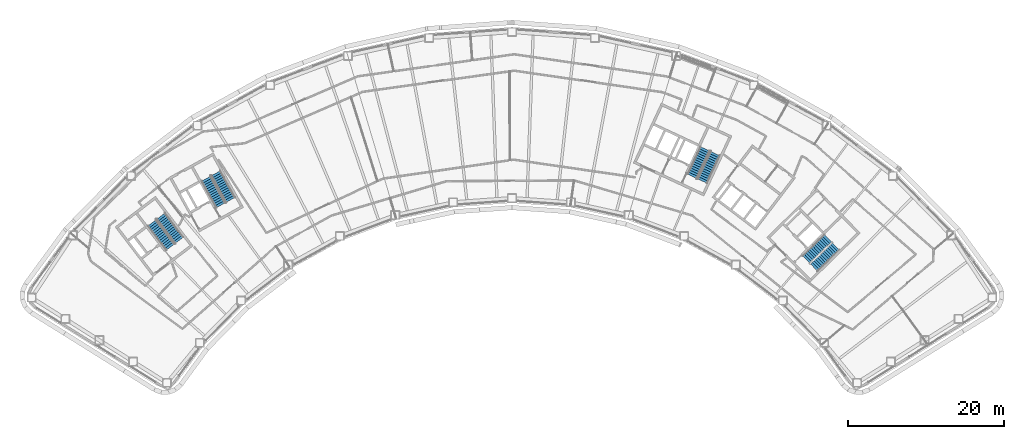
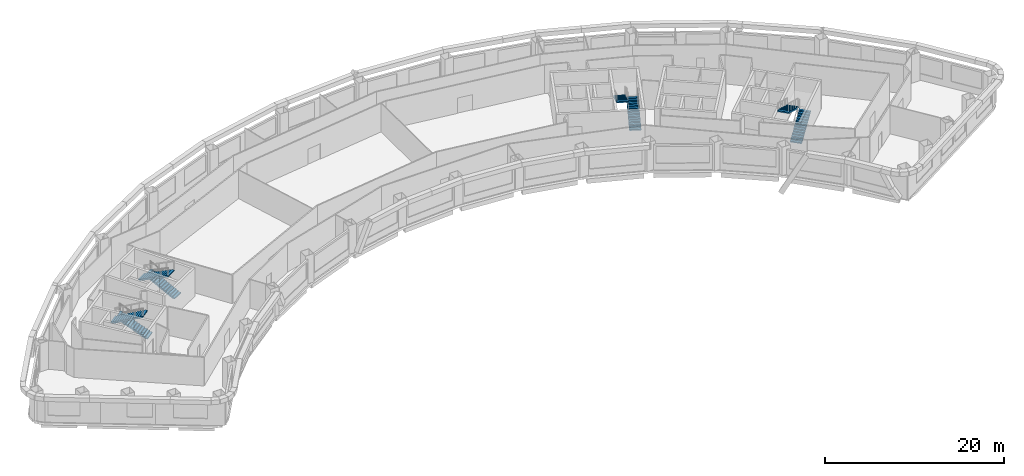
# One storey, part 10 of 12: 8 stair flights, 4 elements without a shape of their own.
"""IFC4 building model written with IfcOpenShell, lengths in metres."""

from ifc_helpers import new_model, si_unit, direction, frame, origin, place, context, subcontext, project, spatial, polyline, outline, extrude, material, type_object, element, aggregate, save


model = new_model("IFC4")

# Units and contexts
model_context = context("Model", 3, precision=1e-05, world=origin(), true_north=direction((0.0, 1.0)))
body_context = subcontext(model_context, "Body", "Model", "MODEL_VIEW")
ifc_project = project(units=[si_unit("LENGTHUNIT", "METRE"), si_unit("AREAUNIT", "SQUARE_METRE"), si_unit("VOLUMEUNIT", "CUBIC_METRE"), si_unit("PLANEANGLEUNIT", "RADIAN"), si_unit("MASSUNIT", "GRAM", prefix="KILO")], contexts=[model_context])

# Site, building, storey
site_placement = place(None, origin())
site = spatial("IfcSite", under=ifc_project, at=site_placement, CompositionType="ELEMENT")
building_placement = place(site_placement, origin())
building = spatial("IfcBuilding", under=site, at=building_placement, Name="Tuul Gate Civic Tower", CompositionType="ELEMENT")
storey_placement = place(building_placement, frame((0.0, 0.0, 103.5)))
storey = spatial("IfcBuildingStorey", under=building, at=storey_placement, Name="Level 23", CompositionType="ELEMENT", Elevation=103.5)

# Stair, stair flights
ifc_material_1 = material(Name="Concrete C40/50", Category="concrete")
stair_type = type_object("IfcStairType", Name="Exit stair", PredefinedType="HALF_TURN_STAIR", material=ifc_material_1)
stair_1_placement = place(storey_placement, origin())
stair_1 = element("IfcStair", 1, at=stair_1_placement, inside=storey, type_object=stair_type, Name="Level 23 ST-1", PredefinedType="HALF_TURN_STAIR")
ifc_material_2 = material(Name="Concrete C40/50", Category="concrete")
stair_flight_type = type_object("IfcStairFlightType", Name="Exit stair flight", PredefinedType="STRAIGHT", material=ifc_material_2)
stair_flight_1_placement = place(storey_placement, frame((-32.875244140625, -13.066650390625, 0.0), z_axis=(0.0, 0.0, 1.0), x_axis=(-0.605764474941, 0.795644016442, 0.0)))
stair_flight_1 = element("IfcStairFlight", 2, at=stair_flight_1_placement, type_object=stair_flight_type, Name="ST-1 flight 1", NumberOfRisers=14, NumberOfTreads=13, PredefinedType="STRAIGHT", RiserHeight=0.15, TreadLength=0.3, context=body_context, shape_type="SweptSolid", body=[
    extrude(outline(polyline([(0.0, 0.0), (0.0, 0.14990234375), (0.300048828125, 0.14990234375), (0.300048828125, 0.300048828125), (0.60009765625, 0.300048828125), (0.60009765625, 0.449951171875), (0.89990234375, 0.449951171875), (0.89990234375, 0.60009765625), (1.199951171875, 0.60009765625), (1.199951171875, 0.75), (1.5, 0.75), (1.5, 0.89990234375), (1.800048828125, 0.89990234375), (1.800048828125, 1.050048828125), (2.10009765625, 1.050048828125), (2.10009765625, 1.199951171875), (2.39990234375, 1.199951171875), (2.39990234375, 1.35009765625), (2.699951171875, 1.35009765625), (2.699951171875, 1.5), (3.0, 1.5), (3.0, 1.64990234375), (3.300048828125, 1.64990234375), (3.300048828125, 1.800048828125), (3.60009765625, 1.800048828125), (3.60009765625, 1.949951171875), (3.89990234375, 1.949951171875), (3.89990234375, 2.10009765625), (3.89990234375, 1.782470703125), (0.335205078125, 0.0), (0.0, 0.0)])), frame((0.0, 0.675048828125, 0.0), z_axis=(0.0, -1.0, 0.0), x_axis=(1.0, 0.0, 0.0)), (0.0, 0.0, 1.0), 1.35009765625),
])
stair_flight_2_placement = place(storey_placement, frame((-36.391357421875, -10.842041015625, 2.10009765625), z_axis=(0.0, 0.0, 1.0), x_axis=(0.605764474941, -0.795644016442, 0.0)))
stair_flight_2 = element("IfcStairFlight", 3, at=stair_flight_2_placement, type_object=stair_flight_type, Name="ST-1 flight 2", NumberOfRisers=14, NumberOfTreads=13, PredefinedType="STRAIGHT", RiserHeight=0.15, TreadLength=0.3, context=body_context, shape_type="SweptSolid", body=[
    extrude(outline(polyline([(0.0, 0.0), (0.0, 0.14990234375), (0.300048828125, 0.14990234375), (0.300048828125, 0.300048828125), (0.60009765625, 0.300048828125), (0.60009765625, 0.449951171875), (0.89990234375, 0.449951171875), (0.89990234375, 0.60009765625), (1.199951171875, 0.60009765625), (1.199951171875, 0.75), (1.5, 0.75), (1.5, 0.89990234375), (1.800048828125, 0.89990234375), (1.800048828125, 1.050048828125), (2.10009765625, 1.050048828125), (2.10009765625, 1.199951171875), (2.39990234375, 1.199951171875), (2.39990234375, 1.35009765625), (2.699951171875, 1.35009765625), (2.699951171875, 1.5), (3.0, 1.5), (3.0, 1.64990234375), (3.300048828125, 1.64990234375), (3.300048828125, 1.800048828125), (3.60009765625, 1.800048828125), (3.60009765625, 1.949951171875), (3.89990234375, 1.949951171875), (3.89990234375, 2.10009765625), (3.89990234375, 1.782470703125), (0.335205078125, 0.0), (0.0, 0.0)])), frame((0.0, 0.675048828125, 0.0), z_axis=(0.0, -1.0, 0.0), x_axis=(1.0, 0.0, 0.0)), (0.0, 0.0, 1.0), 1.35009765625),
])
aggregate(stair_1, [stair_flight_1, stair_flight_2])

stair_2_placement = place(storey_placement, origin())
stair_2 = element("IfcStair", 4, at=stair_2_placement, inside=storey, type_object=stair_type, Name="Level 23 ST-2", PredefinedType="HALF_TURN_STAIR")
stair_flight_3_placement = place(storey_placement, frame((-26.29150390625, -7.87646484375, 0.0), z_axis=(0.0, 0.0, 1.0), x_axis=(-0.484761763766, 0.874646232708, 0.0)))
stair_flight_3 = element("IfcStairFlight", 5, at=stair_flight_3_placement, type_object=stair_flight_type, Name="ST-2 flight 1", NumberOfRisers=14, NumberOfTreads=13, PredefinedType="STRAIGHT", RiserHeight=0.15, TreadLength=0.3, context=body_context, shape_type="SweptSolid", body=[
    extrude(outline(polyline([(0.0, 0.0), (0.0, 0.14990234375), (0.300048828125, 0.14990234375), (0.300048828125, 0.300048828125), (0.60009765625, 0.300048828125), (0.60009765625, 0.449951171875), (0.89990234375, 0.449951171875), (0.89990234375, 0.60009765625), (1.199951171875, 0.60009765625), (1.199951171875, 0.75), (1.5, 0.75), (1.5, 0.89990234375), (1.800048828125, 0.89990234375), (1.800048828125, 1.050048828125), (2.10009765625, 1.050048828125), (2.10009765625, 1.199951171875), (2.39990234375, 1.199951171875), (2.39990234375, 1.35009765625), (2.699951171875, 1.35009765625), (2.699951171875, 1.5), (3.0, 1.5), (3.0, 1.64990234375), (3.300048828125, 1.64990234375), (3.300048828125, 1.800048828125), (3.60009765625, 1.800048828125), (3.60009765625, 1.949951171875), (3.89990234375, 1.949951171875), (3.89990234375, 2.10009765625), (3.89990234375, 1.782470703125), (0.335205078125, 0.0), (0.0, 0.0)])), frame((0.0, 0.675048828125, 0.0), z_axis=(0.0, -1.0, 0.0), x_axis=(1.0, 0.0, 0.0)), (0.0, 0.0, 1.0), 1.35009765625),
])
stair_flight_4_placement = place(storey_placement, frame((-29.450439453125, -5.168212890625, 2.10009765625), z_axis=(0.0, 0.0, 1.0), x_axis=(0.484761763766, -0.874646232708, 0.0)))
stair_flight_4 = element("IfcStairFlight", 6, at=stair_flight_4_placement, type_object=stair_flight_type, Name="ST-2 flight 2", NumberOfRisers=14, NumberOfTreads=13, PredefinedType="STRAIGHT", RiserHeight=0.15, TreadLength=0.3, context=body_context, shape_type="SweptSolid", body=[
    extrude(outline(polyline([(0.0, 0.0), (0.0, 0.14990234375), (0.300048828125, 0.14990234375), (0.300048828125, 0.300048828125), (0.60009765625, 0.300048828125), (0.60009765625, 0.449951171875), (0.89990234375, 0.449951171875), (0.89990234375, 0.60009765625), (1.199951171875, 0.60009765625), (1.199951171875, 0.75), (1.5, 0.75), (1.5, 0.89990234375), (1.800048828125, 0.89990234375), (1.800048828125, 1.050048828125), (2.10009765625, 1.050048828125), (2.10009765625, 1.199951171875), (2.39990234375, 1.199951171875), (2.39990234375, 1.35009765625), (2.699951171875, 1.35009765625), (2.699951171875, 1.5), (3.0, 1.5), (3.0, 1.64990234375), (3.300048828125, 1.64990234375), (3.300048828125, 1.800048828125), (3.60009765625, 1.800048828125), (3.60009765625, 1.949951171875), (3.89990234375, 1.949951171875), (3.89990234375, 2.10009765625), (3.89990234375, 1.782470703125), (0.335205078125, 0.0), (0.0, 0.0)])), frame((0.0, 0.675048828125, 0.0), z_axis=(0.0, -1.0, 0.0), x_axis=(1.0, 0.0, 0.0)), (0.0, 0.0, 1.0), 1.35009765625),
])
aggregate(stair_2, [stair_flight_3, stair_flight_4])

stair_3_placement = place(storey_placement, origin())
stair_3 = element("IfcStair", 7, at=stair_3_placement, inside=storey, type_object=stair_type, Name="Level 23 ST-3", PredefinedType="HALF_TURN_STAIR")
stair_flight_5_placement = place(storey_placement, frame((48.61376953125, -16.581787109375, 0.0), z_axis=(0.0, 0.0, 1.0), x_axis=(0.714127290059, 0.700015866672, 0.0)))
stair_flight_5 = element("IfcStairFlight", 8, at=stair_flight_5_placement, type_object=stair_flight_type, Name="ST-3 flight 1", NumberOfRisers=14, NumberOfTreads=13, PredefinedType="STRAIGHT", RiserHeight=0.15, TreadLength=0.3, context=body_context, shape_type="SweptSolid", body=[
    extrude(outline(polyline([(0.0, 0.0), (0.0, 0.14990234375), (0.300048828125, 0.14990234375), (0.300048828125, 0.300048828125), (0.60009765625, 0.300048828125), (0.60009765625, 0.449951171875), (0.89990234375, 0.449951171875), (0.89990234375, 0.60009765625), (1.199951171875, 0.60009765625), (1.199951171875, 0.75), (1.5, 0.75), (1.5, 0.89990234375), (1.800048828125, 0.89990234375), (1.800048828125, 1.050048828125), (2.10009765625, 1.050048828125), (2.10009765625, 1.199951171875), (2.39990234375, 1.199951171875), (2.39990234375, 1.35009765625), (2.699951171875, 1.35009765625), (2.699951171875, 1.5), (3.0, 1.5), (3.0, 1.64990234375), (3.300048828125, 1.64990234375), (3.300048828125, 1.800048828125), (3.60009765625, 1.800048828125), (3.60009765625, 1.949951171875), (3.89990234375, 1.949951171875), (3.89990234375, 2.10009765625), (3.89990234375, 1.782470703125), (0.335205078125, 0.0), (0.0, 0.0)])), frame((0.0, 0.675048828125, 0.0), z_axis=(0.0, -1.0, 0.0), x_axis=(1.0, 0.0, 0.0)), (0.0, 0.0, 1.0), 1.35009765625),
])
stair_flight_6_placement = place(storey_placement, frame((50.3837890625, -12.816162109375, 2.10009765625), z_axis=(0.0, 0.0, 1.0), x_axis=(-0.714127290059, -0.700015866672, 0.0)))
stair_flight_6 = element("IfcStairFlight", 9, at=stair_flight_6_placement, type_object=stair_flight_type, Name="ST-3 flight 2", NumberOfRisers=14, NumberOfTreads=13, PredefinedType="STRAIGHT", RiserHeight=0.15, TreadLength=0.3, context=body_context, shape_type="SweptSolid", body=[
    extrude(outline(polyline([(0.0, 0.0), (0.0, 0.14990234375), (0.300048828125, 0.14990234375), (0.300048828125, 0.300048828125), (0.60009765625, 0.300048828125), (0.60009765625, 0.449951171875), (0.89990234375, 0.449951171875), (0.89990234375, 0.60009765625), (1.199951171875, 0.60009765625), (1.199951171875, 0.75), (1.5, 0.75), (1.5, 0.89990234375), (1.800048828125, 0.89990234375), (1.800048828125, 1.050048828125), (2.10009765625, 1.050048828125), (2.10009765625, 1.199951171875), (2.39990234375, 1.199951171875), (2.39990234375, 1.35009765625), (2.699951171875, 1.35009765625), (2.699951171875, 1.5), (3.0, 1.5), (3.0, 1.64990234375), (3.300048828125, 1.64990234375), (3.300048828125, 1.800048828125), (3.60009765625, 1.800048828125), (3.60009765625, 1.949951171875), (3.89990234375, 1.949951171875), (3.89990234375, 2.10009765625), (3.89990234375, 1.782470703125), (0.335205078125, 0.0), (0.0, 0.0)])), frame((0.0, 0.675048828125, 0.0), z_axis=(0.0, -1.0, 0.0), x_axis=(1.0, 0.0, 0.0)), (0.0, 0.0, 1.0), 1.35009765625),
])
aggregate(stair_3, [stair_flight_5, stair_flight_6])

stair_4_placement = place(storey_placement, origin())
stair_4 = element("IfcStair", 10, at=stair_4_placement, inside=storey, type_object=stair_type, Name="Level 23 ST-4", PredefinedType="HALF_TURN_STAIR")
stair_flight_7_placement = place(storey_placement, frame((34.278564453125, -5.478515625, 0.0), z_axis=(0.0, 0.0, 1.0), x_axis=(0.422576295988, 0.906327354806, 0.0)))
stair_flight_7 = element("IfcStairFlight", 11, at=stair_flight_7_placement, type_object=stair_flight_type, Name="ST-4 flight 1", NumberOfRisers=14, NumberOfTreads=13, PredefinedType="STRAIGHT", RiserHeight=0.15, TreadLength=0.3, context=body_context, shape_type="SweptSolid", body=[
    extrude(outline(polyline([(0.0, 0.0), (0.0, 0.14990234375), (0.300048828125, 0.14990234375), (0.300048828125, 0.300048828125), (0.60009765625, 0.300048828125), (0.60009765625, 0.449951171875), (0.89990234375, 0.449951171875), (0.89990234375, 0.60009765625), (1.199951171875, 0.60009765625), (1.199951171875, 0.75), (1.5, 0.75), (1.5, 0.89990234375), (1.800048828125, 0.89990234375), (1.800048828125, 1.050048828125), (2.10009765625, 1.050048828125), (2.10009765625, 1.199951171875), (2.39990234375, 1.199951171875), (2.39990234375, 1.35009765625), (2.699951171875, 1.35009765625), (2.699951171875, 1.5), (3.0, 1.5), (3.0, 1.64990234375), (3.300048828125, 1.64990234375), (3.300048828125, 1.800048828125), (3.60009765625, 1.800048828125), (3.60009765625, 1.949951171875), (3.89990234375, 1.949951171875), (3.89990234375, 2.10009765625), (3.89990234375, 1.782470703125), (0.335205078125, 0.0), (0.0, 0.0)])), frame((0.0, 0.675048828125, 0.0), z_axis=(0.0, -1.0, 0.0), x_axis=(1.0, 0.0, 0.0)), (0.0, 0.0, 1.0), 1.35009765625),
])
stair_flight_8_placement = place(storey_placement, frame((34.612548828125, -1.3310546875, 2.10009765625), z_axis=(0.0, 0.0, 1.0), x_axis=(-0.422576295988, -0.906327354806, 0.0)))
stair_flight_8 = element("IfcStairFlight", 12, at=stair_flight_8_placement, type_object=stair_flight_type, Name="ST-4 flight 2", NumberOfRisers=14, NumberOfTreads=13, PredefinedType="STRAIGHT", RiserHeight=0.15, TreadLength=0.3, context=body_context, shape_type="SweptSolid", body=[
    extrude(outline(polyline([(0.0, 0.0), (0.0, 0.14990234375), (0.300048828125, 0.14990234375), (0.300048828125, 0.300048828125), (0.60009765625, 0.300048828125), (0.60009765625, 0.449951171875), (0.89990234375, 0.449951171875), (0.89990234375, 0.60009765625), (1.199951171875, 0.60009765625), (1.199951171875, 0.75), (1.5, 0.75), (1.5, 0.89990234375), (1.800048828125, 0.89990234375), (1.800048828125, 1.050048828125), (2.10009765625, 1.050048828125), (2.10009765625, 1.199951171875), (2.39990234375, 1.199951171875), (2.39990234375, 1.35009765625), (2.699951171875, 1.35009765625), (2.699951171875, 1.5), (3.0, 1.5), (3.0, 1.64990234375), (3.300048828125, 1.64990234375), (3.300048828125, 1.800048828125), (3.60009765625, 1.800048828125), (3.60009765625, 1.949951171875), (3.89990234375, 1.949951171875), (3.89990234375, 2.10009765625), (3.89990234375, 1.782470703125), (0.335205078125, 0.0), (0.0, 0.0)])), frame((0.0, 0.675048828125, 0.0), z_axis=(0.0, -1.0, 0.0), x_axis=(1.0, 0.0, 0.0)), (0.0, 0.0, 1.0), 1.35009765625),
])
aggregate(stair_4, [stair_flight_7, stair_flight_8])

save(model, "model.ifc")
